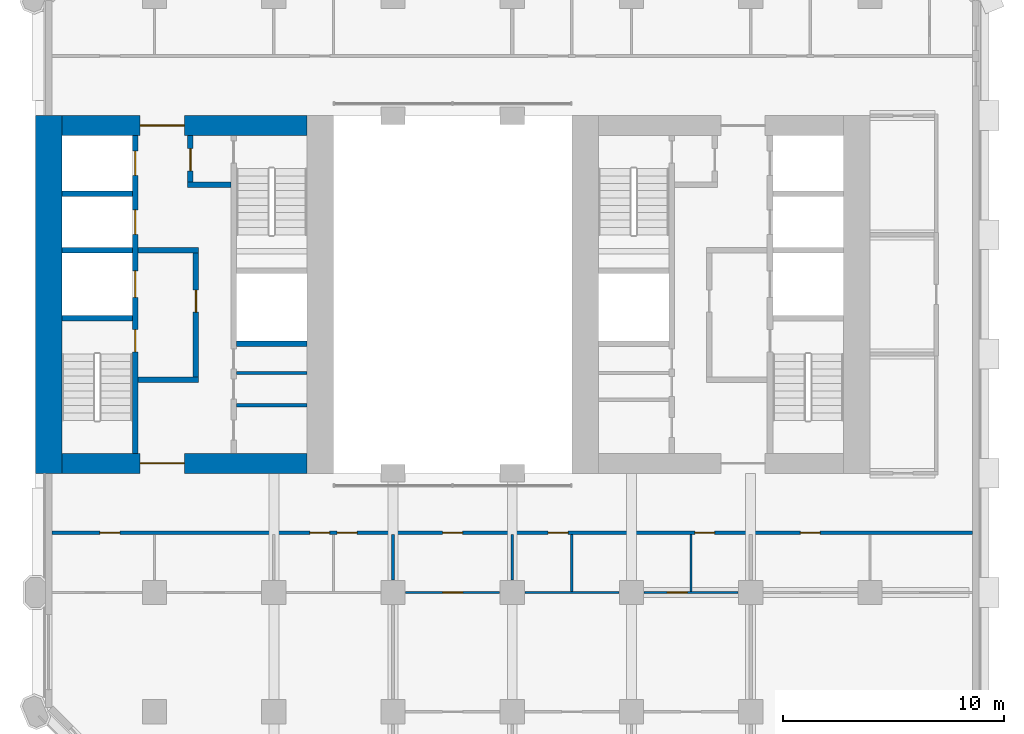
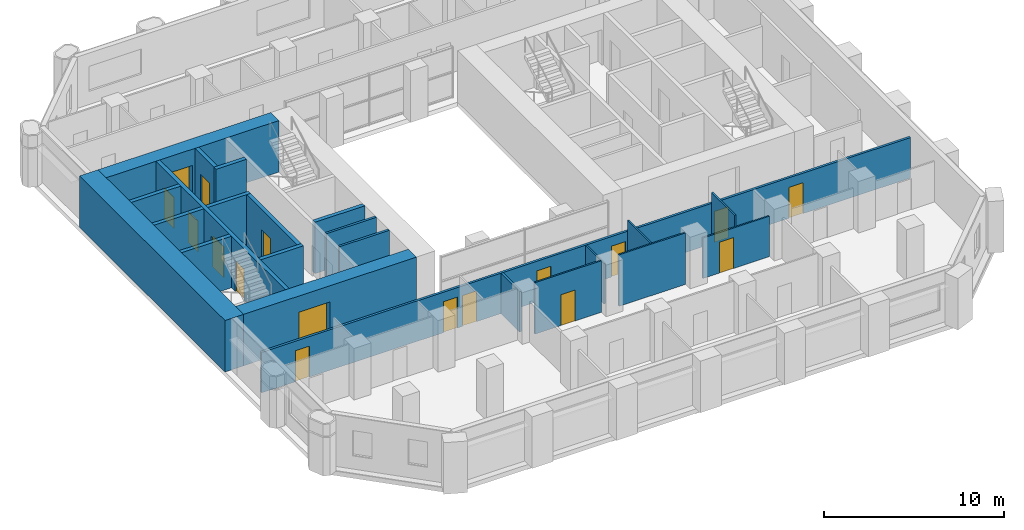
# One storey, part 8 of 13: 23 walls, 17 doors, 17 openings.
"""IFC4 building model written with IfcOpenShell, lengths in metres."""

from ifc_helpers import new_model, si_unit, direction, frame, frame_2d, origin, place, context, subcontext, project, spatial, rectangle, extrude, material, layer, layer_set, type_object, element, fill, save


model = new_model("IFC4")

# Units and contexts
model_context = context("Model", 3, precision=1e-05, world=origin(), true_north=direction((0.0, 1.0)))
body_context = subcontext(model_context, "Body", "Model", "MODEL_VIEW")
ifc_project = project(units=[si_unit("LENGTHUNIT", "METRE"), si_unit("AREAUNIT", "SQUARE_METRE"), si_unit("VOLUMEUNIT", "CUBIC_METRE"), si_unit("PLANEANGLEUNIT", "RADIAN"), si_unit("MASSUNIT", "GRAM", prefix="KILO")], contexts=[model_context])

# Site, building, storey
site_placement = place(None, origin())
site = spatial("IfcSite", under=ifc_project, at=site_placement, CompositionType="ELEMENT")
building_placement = place(site_placement, origin())
building = spatial("IfcBuilding", under=site, at=building_placement, Name="Tabaq Tower and Sports Hall", CompositionType="ELEMENT")
storey_placement = place(building_placement, frame((0.0, 0.0, 37.39990234375)))
storey = spatial("IfcBuildingStorey", under=building, at=storey_placement, Name="L07", CompositionType="ELEMENT", Elevation=37.39990234375)

# Walls
ifc_material_1 = material(Name="Blockwork", Category="masonry")
ifc_layer_1 = layer(ifc_material_1, 0.14990234375)
ifc_layer_set_1 = layer_set([ifc_layer_1], Name="Core room partition 150 Blockwork")
wall_type_1 = type_object("IfcWallType", Name="Core room partition 150 Blockwork", PredefinedType="PARTITIONING", material=ifc_layer_set_1)
for number, where, z_axis, x_axis, name in (
    (1, (14.5, 19.282958984375, 0.0), (0.0, 0.0, 1.0), (1.0, 0.0, 0.0), "Core room partition W L07"),
    (2, (14.5, 20.738037109375, 0.0), (0.0, 0.0, 1.0), (1.0, 0.0, 0.0), "Core room partition W L07"),
):
    element("IfcWall", number, at=place(storey_placement, frame(where, z_axis=z_axis, x_axis=x_axis)), inside=storey, type_object=wall_type_1, Name=name, PredefinedType="PARTITIONING", context=body_context, shape_type="SweptSolid", body=[
        extrude(rectangle(XDim=3.199951171875, YDim=0.14990234375, at=frame_2d((1.60009765625, 0.0))), origin(), (0.0, 0.0, 1.0), 3.5),
    ])
ifc_material_2 = material(Name="Concrete C60/75", Category="concrete")
ifc_layer_2 = layer(ifc_material_2, 1.199951171875)
ifc_layer_set_2 = layer_set([ifc_layer_2], Name="Core wall 1200 Concrete C60/75")
wall_type_2 = type_object("IfcWallType", Name="Core wall 1200 Concrete C60/75", PredefinedType="SOLIDWALL", material=ifc_layer_set_2)
wall_1_placement = place(storey_placement, frame((6.0, 16.199951171875, 0.0), z_axis=(0.0, 0.0, 1.0), x_axis=(0.0, 1.0, 0.0)))
element("IfcWall", 3, at=wall_1_placement, inside=storey, type_object=wall_type_2, Name="Core wall W L07", PredefinedType="SOLIDWALL", context=body_context, shape_type="SweptSolid", body=[
    extrude(rectangle(XDim=16.199951171875, YDim=1.199951171875, at=frame_2d((8.10009765625, 0.0))), origin(), (0.0, 0.0, 1.0), 3.5),
])

# Wall, opening, door
ifc_material_3 = material(Name="Concrete C60/75", Category="concrete")
ifc_layer_3 = layer(ifc_material_3, 0.89990234375)
ifc_layer_set_3 = layer_set([ifc_layer_3], Name="Core wall 900 Concrete C60/75")
wall_type_3 = type_object("IfcWallType", Name="Core wall 900 Concrete C60/75", PredefinedType="SOLIDWALL", material=ifc_layer_set_3)
wall_2_placement = place(storey_placement, frame((17.699951171875, 16.64990234375, 0.0), z_axis=(0.0, 0.0, 1.0), x_axis=(-1.0, 0.0, 0.0)))
wall_2 = element("IfcWall", 4, at=wall_2_placement, inside=storey, type_object=wall_type_3, Name="Core wall W L07", PredefinedType="SOLIDWALL", context=body_context, shape_type="SweptSolid", body=[
    extrude(rectangle(XDim=11.099853515625, YDim=0.89990234375, at=frame_2d((5.5498046875, 0.0))), origin(), (0.0, 0.0, 1.0), 3.5),
])
opening_1_placement = place(wall_2_placement, frame((5.550048828125, 0.0, 0.0)))
opening_1 = element("IfcOpeningElement", 5, at=opening_1_placement, cuts=wall_2, Name="Opening PD-WL07-01", PredefinedType="OPENING", context=body_context, shape_type="SweptSolid", body=[
    extrude(rectangle(XDim=2.0, YDim=2.39990234375, at=frame_2d((1.0, 1.199951171875))), frame((0.0, 0.449951171875, 0.0), z_axis=(0.0, -1.0, 0.0), x_axis=(1.0, 0.0, 0.0)), (0.0, 0.0, 1.0), 0.89990234375),
])
ifc_material_4 = material(Name="Steel fire door", Category="steel")
door_type_1 = type_object("IfcDoorType", Name="Core entrance door 2000", OperationType="DOUBLE_DOOR_SINGLE_SWING", PredefinedType="DOOR", material=ifc_material_4)
door_1_placement = place(opening_1_placement, origin())
door_1 = element("IfcDoor", 6, at=door_1_placement, inside=storey, type_object=door_type_1, Name="Core entrance south W L07", OperationType="DOUBLE_DOOR_SINGLE_SWING", OverallHeight=2.39990234375, OverallWidth=2.0, PredefinedType="DOOR", context=body_context, shape_type="SweptSolid", body=[
    extrude(rectangle(XDim=2.0, YDim=2.39990234375, at=frame_2d((1.0, 1.199951171875))), frame((0.0, 0.02490234375, 0.0), z_axis=(0.0, -1.0, 0.0), x_axis=(1.0, 0.0, 0.0)), (0.0, 0.0, 1.0), 0.050048828125),
])
fill(opening_1, door_1)

wall_3_placement = place(storey_placement, frame((6.60009765625, 31.949951171875, 0.0), z_axis=(0.0, 0.0, 1.0), x_axis=(1.0, 0.0, 0.0)))
wall_3 = element("IfcWall", 7, at=wall_3_placement, inside=storey, type_object=wall_type_3, Name="Core wall W L07", PredefinedType="SOLIDWALL", context=body_context, shape_type="SweptSolid", body=[
    extrude(rectangle(XDim=11.099853515625, YDim=0.89990234375, at=frame_2d((5.5498046875, 0.0))), origin(), (0.0, 0.0, 1.0), 3.5),
])
opening_2_placement = place(wall_3_placement, frame((3.550048828125, 0.0, 0.0)))
opening_2 = element("IfcOpeningElement", 8, at=opening_2_placement, cuts=wall_3, Name="Opening PD-WL07-02", PredefinedType="OPENING", context=body_context, shape_type="SweptSolid", body=[
    extrude(rectangle(XDim=2.0, YDim=2.39990234375, at=frame_2d((1.0, 1.199951171875))), frame((0.0, 0.449951171875, 0.0), z_axis=(0.0, -1.0, 0.0), x_axis=(1.0, 0.0, 0.0)), (0.0, 0.0, 1.0), 0.89990234375),
])
door_2_placement = place(opening_2_placement, origin())
door_2 = element("IfcDoor", 9, at=door_2_placement, inside=storey, type_object=door_type_1, Name="Core entrance north W L07", OperationType="DOUBLE_DOOR_SINGLE_SWING", OverallHeight=2.39990234375, OverallWidth=2.0, PredefinedType="DOOR", context=body_context, shape_type="SweptSolid", body=[
    extrude(rectangle(XDim=2.0, YDim=2.39990234375, at=frame_2d((1.0, 1.199951171875))), frame((0.0, 0.02490234375, 0.0), z_axis=(0.0, -1.0, 0.0), x_axis=(1.0, 0.0, 0.0)), (0.0, 0.0, 1.0), 0.050048828125),
])
fill(opening_2, door_2)

ifc_material_5 = material(Name="Gypsum board on steel studs", Category="steel")
ifc_layer_4 = layer(ifc_material_5, 0.10009765625)
ifc_layer_set_4 = layer_set([ifc_layer_4], Name="Partition 100 Gypsum board")
wall_type_4 = type_object("IfcWallType", Name="Partition 100 Gypsum board", PredefinedType="PARTITIONING", material=ifc_layer_set_4)
wall_4_placement = place(storey_placement, frame((22.169921875, 10.800048828125, 0.0), z_axis=(0.0, 0.0, 1.0), x_axis=(1.0, 0.0, 0.0)))
wall_4 = element("IfcWall", 10, at=wall_4_placement, inside=storey, type_object=wall_type_4, Name="Partition wall L07", PredefinedType="PARTITIONING", context=body_context, shape_type="SweptSolid", body=[
    extrude(rectangle(XDim=4.260009765625, YDim=0.10009765625, at=frame_2d((2.1298828125, 0.0))), origin(), (0.0, 0.0, 1.0), 3.5),
])
opening_3_placement = place(wall_4_placement, frame((1.679931640625, 0.0, 0.0)))
opening_3 = element("IfcOpeningElement", 11, at=opening_3_placement, cuts=wall_4, Name="Opening L07-029", PredefinedType="OPENING", context=body_context, shape_type="SweptSolid", body=[
    extrude(rectangle(XDim=0.89990234375, YDim=2.10009765625, at=frame_2d((0.449951171875, 1.050048828125))), frame((0.0, 0.050048828125, 0.0), z_axis=(0.0, -1.0, 0.0), x_axis=(1.0, 0.0, 0.0)), (0.0, 0.0, 1.0), 0.10009765625),
])
ifc_material_6 = material(Name="Timber leaf in steel frame", Category="steel")
door_type_2 = type_object("IfcDoorType", Name="Internal door 900 right hand", OperationType="SINGLE_SWING_RIGHT", PredefinedType="DOOR", material=ifc_material_6)
door_3_placement = place(opening_3_placement, origin())
door_3 = element("IfcDoor", 12, at=door_3_placement, inside=storey, type_object=door_type_2, Name="Internal door L07-029", OperationType="SINGLE_SWING_RIGHT", OverallHeight=2.10009765625, OverallWidth=0.89990234375, PredefinedType="DOOR", context=body_context, shape_type="SweptSolid", body=[
    extrude(rectangle(XDim=0.89990234375, YDim=2.10009765625, at=frame_2d((0.449951171875, 1.050048828125))), frame((0.0, 0.02490234375, 0.0), z_axis=(0.0, -1.0, 0.0), x_axis=(1.0, 0.0, 0.0)), (0.0, 0.0, 1.0), 0.050048828125),
])
fill(opening_3, door_3)

# Walls
wall_5_placement = place(storey_placement, frame((27.0, 11.3701171875, 0.0), z_axis=(0.0, 0.0, 1.0), x_axis=(0.0, 1.0, 0.0)))
element("IfcWall", 13, at=wall_5_placement, inside=storey, type_object=wall_type_4, Name="Partition wall L07", PredefinedType="PARTITIONING", context=body_context, shape_type="SweptSolid", body=[
    extrude(rectangle(XDim=2.054931640625, YDim=0.10009765625, at=frame_2d((1.02734375, 0.0))), origin(), (0.0, 0.0, 1.0), 2.75),
])
wall_6_placement = place(storey_placement, frame((29.699951171875, 10.85009765625, 0.0), z_axis=(0.0, 0.0, 1.0), x_axis=(0.0, 1.0, 0.0)))
element("IfcWall", 14, at=wall_6_placement, inside=storey, type_object=wall_type_4, Name="Partition wall L07", PredefinedType="PARTITIONING", context=body_context, shape_type="SweptSolid", body=[
    extrude(rectangle(XDim=2.574951171875, YDim=0.10009765625, at=frame_2d((1.28759765625, 0.0))), origin(), (0.0, 0.0, 1.0), 3.5),
])
wall_7_placement = place(storey_placement, frame((27.570068359375, 10.800048828125, 0.0), z_axis=(0.0, 0.0, 1.0), x_axis=(1.0, 0.0, 0.0)))
element("IfcWall", 15, at=wall_7_placement, inside=storey, type_object=wall_type_4, Name="Partition wall L07", PredefinedType="PARTITIONING", context=body_context, shape_type="SweptSolid", body=[
    extrude(rectangle(XDim=4.260009765625, YDim=0.10009765625, at=frame_2d((2.1298828125, 0.0))), origin(), (0.0, 0.0, 1.0), 3.5),
])
wall_8_placement = place(storey_placement, frame((35.10009765625, 10.85009765625, 0.0), z_axis=(0.0, 0.0, 1.0), x_axis=(0.0, 1.0, 0.0)))
element("IfcWall", 16, at=wall_8_placement, inside=storey, type_object=wall_type_4, Name="Partition wall L07", PredefinedType="PARTITIONING", context=body_context, shape_type="SweptSolid", body=[
    extrude(rectangle(XDim=2.574951171875, YDim=0.10009765625, at=frame_2d((1.28759765625, 0.0))), origin(), (0.0, 0.0, 1.0), 3.5),
])

# Wall, opening, door
wall_9_placement = place(storey_placement, frame((32.969970703125, 10.800048828125, 0.0), z_axis=(0.0, 0.0, 1.0), x_axis=(1.0, 0.0, 0.0)))
wall_9 = element("IfcWall", 17, at=wall_9_placement, inside=storey, type_object=wall_type_4, Name="Partition wall L07", PredefinedType="PARTITIONING", context=body_context, shape_type="SweptSolid", body=[
    extrude(rectangle(XDim=4.260009765625, YDim=0.10009765625, at=frame_2d((2.1298828125, 0.0))), origin(), (0.0, 0.0, 1.0), 2.75),
])
opening_4_placement = place(wall_9_placement, frame((1.06005859375, 0.0, 0.0)))
opening_4 = element("IfcOpeningElement", 18, at=opening_4_placement, cuts=wall_9, Name="Opening L07-018", PredefinedType="OPENING", context=body_context, shape_type="SweptSolid", body=[
    extrude(rectangle(XDim=0.89990234375, YDim=2.10009765625, at=frame_2d((0.449951171875, 1.050048828125))), frame((0.0, 0.050048828125, 0.0), z_axis=(0.0, -1.0, 0.0), x_axis=(1.0, 0.0, 0.0)), (0.0, 0.0, 1.0), 0.10009765625),
])
ifc_material_7 = material(Name="Timber leaf in steel frame", Category="steel")
door_type_3 = type_object("IfcDoorType", Name="Internal door 900 left hand", OperationType="SINGLE_SWING_LEFT", PredefinedType="DOOR", material=ifc_material_7)
door_4_placement = place(opening_4_placement, origin())
door_4 = element("IfcDoor", 19, at=door_4_placement, inside=storey, type_object=door_type_3, Name="Internal door L07-018", OperationType="SINGLE_SWING_LEFT", OverallHeight=2.10009765625, OverallWidth=0.89990234375, PredefinedType="DOOR", context=body_context, shape_type="SweptSolid", body=[
    extrude(rectangle(XDim=0.89990234375, YDim=2.10009765625, at=frame_2d((0.449951171875, 1.050048828125))), frame((0.0, 0.02490234375, 0.0), z_axis=(0.0, -1.0, 0.0), x_axis=(1.0, 0.0, 0.0)), (0.0, 0.0, 1.0), 0.050048828125),
])
fill(opening_4, door_4)

# Wall, openings, doors
ifc_material_8 = material(Name="Blockwork", Category="masonry")
ifc_layer_5 = layer(ifc_material_8, 0.14990234375)
ifc_layer_set_5 = layer_set([ifc_layer_5], Name="Separating wall 150 Blockwork")
wall_type_5 = type_object("IfcWallType", Name="Separating wall 150 Blockwork", PredefinedType="PARTITIONING", material=ifc_layer_set_5)
wall_10_placement = place(storey_placement, frame((47.84912109375, 13.5, 0.0), z_axis=(0.0, 0.0, 1.0), x_axis=(-1.0, 0.0, 0.0)))
wall_10 = element("IfcWall", 20, at=wall_10_placement, inside=storey, type_object=wall_type_5, Name="Separating wall L07", PredefinedType="PARTITIONING", context=body_context, shape_type="SweptSolid", body=[
    extrude(rectangle(XDim=41.6982421875, YDim=0.14990234375, at=frame_2d((20.84912109375, 0.0))), origin(), (0.0, 0.0, 1.0), 2.75),
])
opening_5_placement = place(wall_10_placement, frame((29.118896484375, 0.0, 0.0)))
opening_5 = element("IfcOpeningElement", 21, at=opening_5_placement, cuts=wall_10, Name="Opening L07-005", PredefinedType="OPENING", context=body_context, shape_type="SweptSolid", body=[
    extrude(rectangle(XDim=0.89990234375, YDim=2.10009765625, at=frame_2d((0.449951171875, 1.050048828125))), frame((0.0, 0.074951171875, 0.0), z_axis=(0.0, -1.0, 0.0), x_axis=(1.0, 0.0, 0.0)), (0.0, 0.0, 1.0), 0.14990234375),
])
opening_6_placement = place(wall_10_placement, frame((27.87890625, 0.0, 0.0)))
opening_6 = element("IfcOpeningElement", 22, at=opening_6_placement, cuts=wall_10, Name="Opening L07-006", PredefinedType="OPENING", context=body_context, shape_type="SweptSolid", body=[
    extrude(rectangle(XDim=0.89990234375, YDim=2.10009765625, at=frame_2d((0.449951171875, 1.050048828125))), frame((0.0, 0.074951171875, 0.0), z_axis=(0.0, -1.0, 0.0), x_axis=(1.0, 0.0, 0.0)), (0.0, 0.0, 1.0), 0.14990234375),
])
opening_7_placement = place(wall_10_placement, frame((18.319091796875, 0.0, 0.0)))
opening_7 = element("IfcOpeningElement", 23, at=opening_7_placement, cuts=wall_10, Name="Opening L07-007", PredefinedType="OPENING", context=body_context, shape_type="SweptSolid", body=[
    extrude(rectangle(XDim=0.89990234375, YDim=2.10009765625, at=frame_2d((0.449951171875, 1.050048828125))), frame((0.0, 0.074951171875, 0.0), z_axis=(0.0, -1.0, 0.0), x_axis=(1.0, 0.0, 0.0)), (0.0, 0.0, 1.0), 0.14990234375),
])
opening_8_placement = place(wall_10_placement, frame((11.678955078125, 0.0, 0.0)))
opening_8 = element("IfcOpeningElement", 24, at=opening_8_placement, cuts=wall_10, Name="Opening L07-008", PredefinedType="OPENING", context=body_context, shape_type="SweptSolid", body=[
    extrude(rectangle(XDim=0.89990234375, YDim=2.10009765625, at=frame_2d((0.449951171875, 1.050048828125))), frame((0.0, 0.074951171875, 0.0), z_axis=(0.0, -1.0, 0.0), x_axis=(1.0, 0.0, 0.0)), (0.0, 0.0, 1.0), 0.14990234375),
])
opening_9_placement = place(wall_10_placement, frame((38.6240234375, 0.0, 0.0)))
opening_9 = element("IfcOpeningElement", 25, at=opening_9_placement, cuts=wall_10, Name="Opening L07-024", PredefinedType="OPENING", context=body_context, shape_type="SweptSolid", body=[
    extrude(rectangle(XDim=0.89990234375, YDim=2.10009765625, at=frame_2d((0.449951171875, 1.050048828125))), frame((0.0, 0.074951171875, 0.0), z_axis=(0.0, -1.0, 0.0), x_axis=(1.0, 0.0, 0.0)), (0.0, 0.0, 1.0), 0.14990234375),
])
opening_10_placement = place(wall_10_placement, frame((23.09912109375, 0.0, 0.0)))
opening_10 = element("IfcOpeningElement", 26, at=opening_10_placement, cuts=wall_10, Name="Opening L07-025", PredefinedType="OPENING", context=body_context, shape_type="SweptSolid", body=[
    extrude(rectangle(XDim=0.89990234375, YDim=2.10009765625, at=frame_2d((0.449951171875, 1.050048828125))), frame((0.0, 0.074951171875, 0.0), z_axis=(0.0, -1.0, 0.0), x_axis=(1.0, 0.0, 0.0)), (0.0, 0.0, 1.0), 0.14990234375),
])
opening_11_placement = place(wall_10_placement, frame((6.89892578125, 0.0, 0.0)))
opening_11 = element("IfcOpeningElement", 27, at=opening_11_placement, cuts=wall_10, Name="Opening L07-026", PredefinedType="OPENING", context=body_context, shape_type="SweptSolid", body=[
    extrude(rectangle(XDim=0.89990234375, YDim=2.10009765625, at=frame_2d((0.449951171875, 1.050048828125))), frame((0.0, 0.074951171875, 0.0), z_axis=(0.0, -1.0, 0.0), x_axis=(1.0, 0.0, 0.0)), (0.0, 0.0, 1.0), 0.14990234375),
])
ifc_material_9 = material(Name="Steel fire door", Category="steel")
door_type_4 = type_object("IfcDoorType", Name="Entrance door 900 right hand", OperationType="SINGLE_SWING_RIGHT", PredefinedType="DOOR", material=ifc_material_9)
door_5_placement = place(opening_5_placement, origin())
door_5 = element("IfcDoor", 28, at=door_5_placement, inside=storey, type_object=door_type_4, Name="Entrance door L07-005", OperationType="SINGLE_SWING_RIGHT", OverallHeight=2.10009765625, OverallWidth=0.89990234375, PredefinedType="DOOR", context=body_context, shape_type="SweptSolid", body=[
    extrude(rectangle(XDim=0.89990234375, YDim=2.10009765625, at=frame_2d((0.449951171875, 1.050048828125))), frame((0.0, 0.02490234375, 0.0), z_axis=(0.0, -1.0, 0.0), x_axis=(1.0, 0.0, 0.0)), (0.0, 0.0, 1.0), 0.050048828125),
])
fill(opening_5, door_5)
door_6_placement = place(opening_6_placement, origin())
door_6 = element("IfcDoor", 29, at=door_6_placement, inside=storey, type_object=door_type_4, Name="Entrance door L07-006", OperationType="SINGLE_SWING_RIGHT", OverallHeight=2.10009765625, OverallWidth=0.89990234375, PredefinedType="DOOR", context=body_context, shape_type="SweptSolid", body=[
    extrude(rectangle(XDim=0.89990234375, YDim=2.10009765625, at=frame_2d((0.449951171875, 1.050048828125))), frame((0.0, 0.02490234375, 0.0), z_axis=(0.0, -1.0, 0.0), x_axis=(1.0, 0.0, 0.0)), (0.0, 0.0, 1.0), 0.050048828125),
])
fill(opening_6, door_6)
door_7_placement = place(opening_7_placement, origin())
door_7 = element("IfcDoor", 30, at=door_7_placement, inside=storey, type_object=door_type_4, Name="Entrance door L07-007", OperationType="SINGLE_SWING_RIGHT", OverallHeight=2.10009765625, OverallWidth=0.89990234375, PredefinedType="DOOR", context=body_context, shape_type="SweptSolid", body=[
    extrude(rectangle(XDim=0.89990234375, YDim=2.10009765625, at=frame_2d((0.449951171875, 1.050048828125))), frame((0.0, 0.02490234375, 0.0), z_axis=(0.0, -1.0, 0.0), x_axis=(1.0, 0.0, 0.0)), (0.0, 0.0, 1.0), 0.050048828125),
])
fill(opening_7, door_7)
door_8_placement = place(opening_8_placement, origin())
door_8 = element("IfcDoor", 31, at=door_8_placement, inside=storey, type_object=door_type_4, Name="Entrance door L07-008", OperationType="SINGLE_SWING_RIGHT", OverallHeight=2.10009765625, OverallWidth=0.89990234375, PredefinedType="DOOR", context=body_context, shape_type="SweptSolid", body=[
    extrude(rectangle(XDim=0.89990234375, YDim=2.10009765625, at=frame_2d((0.449951171875, 1.050048828125))), frame((0.0, 0.02490234375, 0.0), z_axis=(0.0, -1.0, 0.0), x_axis=(1.0, 0.0, 0.0)), (0.0, 0.0, 1.0), 0.050048828125),
])
fill(opening_8, door_8)
door_9_placement = place(opening_9_placement, origin())
door_9 = element("IfcDoor", 32, at=door_9_placement, inside=storey, type_object=door_type_4, Name="Entrance door L07-024", OperationType="SINGLE_SWING_RIGHT", OverallHeight=2.10009765625, OverallWidth=0.89990234375, PredefinedType="DOOR", context=body_context, shape_type="SweptSolid", body=[
    extrude(rectangle(XDim=0.89990234375, YDim=2.10009765625, at=frame_2d((0.449951171875, 1.050048828125))), frame((0.0, 0.02490234375, 0.0), z_axis=(0.0, -1.0, 0.0), x_axis=(1.0, 0.0, 0.0)), (0.0, 0.0, 1.0), 0.050048828125),
])
fill(opening_9, door_9)
door_10_placement = place(opening_10_placement, origin())
door_10 = element("IfcDoor", 33, at=door_10_placement, inside=storey, type_object=door_type_4, Name="Entrance door L07-025", OperationType="SINGLE_SWING_RIGHT", OverallHeight=2.10009765625, OverallWidth=0.89990234375, PredefinedType="DOOR", context=body_context, shape_type="SweptSolid", body=[
    extrude(rectangle(XDim=0.89990234375, YDim=2.10009765625, at=frame_2d((0.449951171875, 1.050048828125))), frame((0.0, 0.02490234375, 0.0), z_axis=(0.0, -1.0, 0.0), x_axis=(1.0, 0.0, 0.0)), (0.0, 0.0, 1.0), 0.050048828125),
])
fill(opening_10, door_10)
door_11_placement = place(opening_11_placement, origin())
door_11 = element("IfcDoor", 34, at=door_11_placement, inside=storey, type_object=door_type_4, Name="Entrance door L07-026", OperationType="SINGLE_SWING_RIGHT", OverallHeight=2.10009765625, OverallWidth=0.89990234375, PredefinedType="DOOR", context=body_context, shape_type="SweptSolid", body=[
    extrude(rectangle(XDim=0.89990234375, YDim=2.10009765625, at=frame_2d((0.449951171875, 1.050048828125))), frame((0.0, 0.02490234375, 0.0), z_axis=(0.0, -1.0, 0.0), x_axis=(1.0, 0.0, 0.0)), (0.0, 0.0, 1.0), 0.050048828125),
])
fill(opening_11, door_11)

# Wall
wall_11_placement = place(storey_placement, frame((21.60009765625, 11.3701171875, 0.0), z_axis=(0.0, 0.0, 1.0), x_axis=(0.0, 1.0, 0.0)))
element("IfcWall", 35, at=wall_11_placement, inside=storey, type_object=wall_type_5, Name="Separating wall L07", PredefinedType="PARTITIONING", context=body_context, shape_type="SweptSolid", body=[
    extrude(rectangle(XDim=2.054931640625, YDim=0.14990234375, at=frame_2d((1.02734375, 0.0))), origin(), (0.0, 0.0, 1.0), 2.75),
])

# Wall, openings, doors
ifc_material_10 = material(Name="Concrete C40/50", Category="concrete")
ifc_layer_6 = layer(ifc_material_10, 0.25)
ifc_layer_set_6 = layer_set([ifc_layer_6], Name="Shaft and stair wall 250 Concrete C40/50")
wall_type_6 = type_object("IfcWallType", Name="Shaft and stair wall 250 Concrete C40/50", PredefinedType="SOLIDWALL", material=ifc_layer_set_6)
wall_12_placement = place(storey_placement, frame((9.925048828125, 17.10009765625, 0.0), z_axis=(0.0, 0.0, 1.0), x_axis=(0.0, 1.0, 0.0)))
wall_12 = element("IfcWall", 36, at=wall_12_placement, inside=storey, type_object=wall_type_6, Name="Shaft wall W L07", PredefinedType="SOLIDWALL", context=body_context, shape_type="SweptSolid", body=[
    extrude(rectangle(XDim=14.39990234375, YDim=0.25, at=frame_2d((7.199951171875, 0.0))), origin(), (0.0, 0.0, 1.0), 3.5),
])
opening_12_placement = place(wall_12_placement, frame((4.60009765625, 0.0, 0.0)))
opening_12 = element("IfcOpeningElement", 37, at=opening_12_placement, cuts=wall_12, Name="Opening SD-WL07-03", PredefinedType="OPENING", context=body_context, shape_type="SweptSolid", body=[
    extrude(rectangle(XDim=1.0, YDim=2.10009765625, at=frame_2d((0.5, 1.050048828125))), frame((0.0, 0.125, 0.0), z_axis=(0.0, -1.0, 0.0), x_axis=(1.0, 0.0, 0.0)), (0.0, 0.0, 1.0), 0.25),
])
opening_13_placement = place(wall_12_placement, frame((7.0625, 0.0, 0.0)))
opening_13 = element("IfcOpeningElement", 38, at=opening_13_placement, cuts=wall_12, Name="Opening LD-FF1-L07", PredefinedType="OPENING", context=body_context, shape_type="SweptSolid", body=[
    extrude(rectangle(XDim=1.199951171875, YDim=2.10009765625, at=frame_2d((0.60009765625, 1.050048828125))), frame((0.0, 0.125, 0.0), z_axis=(0.0, -1.0, 0.0), x_axis=(1.0, 0.0, 0.0)), (0.0, 0.0, 1.0), 0.25),
])
opening_14_placement = place(wall_12_placement, frame((9.925048828125, 0.0, 0.0)))
opening_14 = element("IfcOpeningElement", 39, at=opening_14_placement, cuts=wall_12, Name="Opening LD-LR1-L07", PredefinedType="OPENING", context=body_context, shape_type="SweptSolid", body=[
    extrude(rectangle(XDim=1.10009765625, YDim=2.10009765625, at=frame_2d((0.550048828125, 1.050048828125))), frame((0.0, 0.125, 0.0), z_axis=(0.0, -1.0, 0.0), x_axis=(1.0, 0.0, 0.0)), (0.0, 0.0, 1.0), 0.25),
])
opening_15_placement = place(wall_12_placement, frame((12.58740234375, 0.0, 0.0)))
opening_15 = element("IfcOpeningElement", 40, at=opening_15_placement, cuts=wall_12, Name="Opening LD-LR2-L07", PredefinedType="OPENING", context=body_context, shape_type="SweptSolid", body=[
    extrude(rectangle(XDim=1.10009765625, YDim=2.10009765625, at=frame_2d((0.550048828125, 1.050048828125))), frame((0.0, 0.125, 0.0), z_axis=(0.0, -1.0, 0.0), x_axis=(1.0, 0.0, 0.0)), (0.0, 0.0, 1.0), 0.25),
])
ifc_material_11 = material(Name="Stainless steel", Category="steel")
door_type_5 = type_object("IfcDoorType", Name="Lift landing door 1100", OperationType="DOUBLE_DOOR_SLIDING", PredefinedType="DOOR", material=ifc_material_11)
door_12_placement = place(opening_14_placement, origin())
door_12 = element("IfcDoor", 41, at=door_12_placement, inside=storey, type_object=door_type_5, Name="Lift landing door LR1 W L07", OperationType="DOUBLE_DOOR_SLIDING", OverallHeight=2.10009765625, OverallWidth=1.10009765625, PredefinedType="DOOR", context=body_context, shape_type="SweptSolid", body=[
    extrude(rectangle(XDim=1.10009765625, YDim=2.10009765625, at=frame_2d((0.550048828125, 1.050048828125))), frame((0.0, 0.02490234375, 0.0), z_axis=(0.0, -1.0, 0.0), x_axis=(1.0, 0.0, 0.0)), (0.0, 0.0, 1.0), 0.050048828125),
])
fill(opening_14, door_12)
door_13_placement = place(opening_15_placement, origin())
door_13 = element("IfcDoor", 42, at=door_13_placement, inside=storey, type_object=door_type_5, Name="Lift landing door LR2 W L07", OperationType="DOUBLE_DOOR_SLIDING", OverallHeight=2.10009765625, OverallWidth=1.10009765625, PredefinedType="DOOR", context=body_context, shape_type="SweptSolid", body=[
    extrude(rectangle(XDim=1.10009765625, YDim=2.10009765625, at=frame_2d((0.550048828125, 1.050048828125))), frame((0.0, 0.02490234375, 0.0), z_axis=(0.0, -1.0, 0.0), x_axis=(1.0, 0.0, 0.0)), (0.0, 0.0, 1.0), 0.050048828125),
])
fill(opening_15, door_13)
ifc_material_12 = material(Name="Stainless steel", Category="steel")
door_type_6 = type_object("IfcDoorType", Name="Lift landing door 1200", OperationType="DOUBLE_DOOR_SLIDING", PredefinedType="DOOR", material=ifc_material_12)
door_14_placement = place(opening_13_placement, origin())
door_14 = element("IfcDoor", 43, at=door_14_placement, inside=storey, type_object=door_type_6, Name="Lift landing door FF1 W L07", OperationType="DOUBLE_DOOR_SLIDING", OverallHeight=2.10009765625, OverallWidth=1.199951171875, PredefinedType="DOOR", context=body_context, shape_type="SweptSolid", body=[
    extrude(rectangle(XDim=1.199951171875, YDim=2.10009765625, at=frame_2d((0.60009765625, 1.050048828125))), frame((0.0, 0.02490234375, 0.0), z_axis=(0.0, -1.0, 0.0), x_axis=(1.0, 0.0, 0.0)), (0.0, 0.0, 1.0), 0.050048828125),
])
fill(opening_13, door_14)
ifc_material_13 = material(Name="Steel fire door", Category="steel")
door_type_7 = type_object("IfcDoorType", Name="Stair door 1000", OperationType="SINGLE_SWING_LEFT", PredefinedType="DOOR", material=ifc_material_13)
door_15_placement = place(opening_12_placement, origin())
door_15 = element("IfcDoor", 44, at=door_15_placement, inside=storey, type_object=door_type_7, Name="Stair door ST1 W L07", OperationType="SINGLE_SWING_LEFT", OverallHeight=2.10009765625, OverallWidth=1.0, PredefinedType="DOOR", context=body_context, shape_type="SweptSolid", body=[
    extrude(rectangle(XDim=1.0, YDim=2.10009765625, at=frame_2d((0.5, 1.050048828125))), frame((0.0, 0.02490234375, 0.0), z_axis=(0.0, -1.0, 0.0), x_axis=(1.0, 0.0, 0.0)), (0.0, 0.0, 1.0), 0.050048828125),
])
fill(opening_12, door_15)

# Walls
for number, where, z_axis, x_axis, name in (
    (45, (6.60009765625, 23.22509765625, 0.0), (0.0, 0.0, 1.0), (1.0, 0.0, 0.0), "Stair enclosure wall W L07"),
    (46, (14.5, 22.074951171875, 0.0), (0.0, 0.0, 1.0), (1.0, 0.0, 0.0), "Shaft wall W L07"),
    (47, (6.60009765625, 26.300048828125, 0.0), (0.0, 0.0, 1.0), (1.0, 0.0, 0.0), "Shaft wall W L07"),
):
    element("IfcWall", number, at=place(storey_placement, frame(where, z_axis=z_axis, x_axis=x_axis)), inside=storey, type_object=wall_type_6, Name=name, PredefinedType="SOLIDWALL", context=body_context, shape_type="SweptSolid", body=[
        extrude(rectangle(XDim=3.199951171875, YDim=0.25, at=frame_2d((1.60009765625, 0.0))), origin(), (0.0, 0.0, 1.0), 3.5),
    ])
for number, where, z_axis, x_axis, name in (
    (48, (10.050048828125, 26.300048828125, 0.0), (0.0, 0.0, 1.0), (1.0, 0.0, 0.0), "Fire-fighting lobby wall W L07"),
    (49, (10.050048828125, 20.425048828125, 0.0), (0.0, 0.0, 1.0), (1.0, 0.0, 0.0), "Fire-fighting lobby wall W L07"),
):
    element("IfcWall", number, at=place(storey_placement, frame(where, z_axis=z_axis, x_axis=x_axis)), inside=storey, type_object=wall_type_6, Name=name, PredefinedType="SOLIDWALL", context=body_context, shape_type="SweptSolid", body=[
        extrude(rectangle(XDim=2.75, YDim=0.25, at=frame_2d((1.375, 0.0))), origin(), (0.0, 0.0, 1.0), 3.5),
    ])

# Wall, opening, door
wall_13_placement = place(storey_placement, frame((12.425048828125, 29.39990234375, 0.0), z_axis=(0.0, 0.0, 1.0), x_axis=(0.0, 1.0, 0.0)))
wall_13 = element("IfcWall", 50, at=wall_13_placement, inside=storey, type_object=wall_type_6, Name="Fire-fighting lobby wall W L07", PredefinedType="SOLIDWALL", context=body_context, shape_type="SweptSolid", body=[
    extrude(rectangle(XDim=2.10009765625, YDim=0.25, at=frame_2d((1.050048828125, 0.0))), origin(), (0.0, 0.0, 1.0), 3.5),
])
opening_16_placement = place(wall_13_placement, frame((0.5, 0.0, 0.0)))
opening_16 = element("IfcOpeningElement", 51, at=opening_16_placement, cuts=wall_13, Name="Opening FD-WL07-06", PredefinedType="OPENING", context=body_context, shape_type="SweptSolid", body=[
    extrude(rectangle(XDim=1.0, YDim=2.10009765625, at=frame_2d((0.5, 1.050048828125))), frame((0.0, 0.125, 0.0), z_axis=(0.0, -1.0, 0.0), x_axis=(1.0, 0.0, 0.0)), (0.0, 0.0, 1.0), 0.25),
])
ifc_material_14 = material(Name="Steel fire door", Category="steel")
door_type_8 = type_object("IfcDoorType", Name="Fire-fighting lobby door 1000", OperationType="SINGLE_SWING_LEFT", PredefinedType="DOOR", material=ifc_material_14)
door_16_placement = place(opening_16_placement, origin())
door_16 = element("IfcDoor", 52, at=door_16_placement, inside=storey, type_object=door_type_8, Name="Stair lobby door W L07", OperationType="SINGLE_SWING_LEFT", OverallHeight=2.10009765625, OverallWidth=1.0, PredefinedType="DOOR", context=body_context, shape_type="SweptSolid", body=[
    extrude(rectangle(XDim=1.0, YDim=2.10009765625, at=frame_2d((0.5, 1.050048828125))), frame((0.0, 0.02490234375, 0.0), z_axis=(0.0, -1.0, 0.0), x_axis=(1.0, 0.0, 0.0)), (0.0, 0.0, 1.0), 0.050048828125),
])
fill(opening_16, door_16)

# Wall
wall_14_placement = place(storey_placement, frame((12.300048828125, 29.27490234375, 0.0), z_axis=(0.0, 0.0, 1.0), x_axis=(1.0, 0.0, 0.0)))
element("IfcWall", 53, at=wall_14_placement, inside=storey, type_object=wall_type_6, Name="Fire-fighting lobby wall W L07", PredefinedType="SOLIDWALL", context=body_context, shape_type="SweptSolid", body=[
    extrude(rectangle(XDim=1.949951171875, YDim=0.25, at=frame_2d((0.97509765625, 0.0))), origin(), (0.0, 0.0, 1.0), 3.5),
])

# Wall, opening, door
wall_15_placement = place(storey_placement, frame((12.675048828125, 20.550048828125, 0.0), z_axis=(0.0, 0.0, 1.0), x_axis=(0.0, 1.0, 0.0)))
wall_15 = element("IfcWall", 54, at=wall_15_placement, inside=storey, type_object=wall_type_6, Name="Fire-fighting lobby wall W L07", PredefinedType="SOLIDWALL", context=body_context, shape_type="SweptSolid", body=[
    extrude(rectangle(XDim=5.625, YDim=0.25, at=frame_2d((2.8125, 0.0))), origin(), (0.0, 0.0, 1.0), 3.5),
])
opening_17_placement = place(wall_15_placement, frame((2.949951171875, 0.0, 0.0)))
opening_17 = element("IfcOpeningElement", 55, at=opening_17_placement, cuts=wall_15, Name="Opening FD-WL07-04", PredefinedType="OPENING", context=body_context, shape_type="SweptSolid", body=[
    extrude(rectangle(XDim=1.0, YDim=2.10009765625, at=frame_2d((0.5, 1.050048828125))), frame((0.0, 0.125, 0.0), z_axis=(0.0, -1.0, 0.0), x_axis=(1.0, 0.0, 0.0)), (0.0, 0.0, 1.0), 0.25),
])
door_17_placement = place(opening_17_placement, origin())
door_17 = element("IfcDoor", 56, at=door_17_placement, inside=storey, type_object=door_type_8, Name="Fire-fighting lobby door W L07", OperationType="SINGLE_SWING_LEFT", OverallHeight=2.10009765625, OverallWidth=1.0, PredefinedType="DOOR", context=body_context, shape_type="SweptSolid", body=[
    extrude(rectangle(XDim=1.0, YDim=2.10009765625, at=frame_2d((0.5, 1.050048828125))), frame((0.0, 0.02490234375, 0.0), z_axis=(0.0, -1.0, 0.0), x_axis=(1.0, 0.0, 0.0)), (0.0, 0.0, 1.0), 0.050048828125),
])
fill(opening_17, door_17)

# Wall
wall_16_placement = place(storey_placement, frame((6.60009765625, 28.85009765625, 0.0), z_axis=(0.0, 0.0, 1.0), x_axis=(1.0, 0.0, 0.0)))
element("IfcWall", 57, at=wall_16_placement, inside=storey, type_object=wall_type_6, Name="Shaft wall W L07", PredefinedType="SOLIDWALL", context=body_context, shape_type="SweptSolid", body=[
    extrude(rectangle(XDim=3.199951171875, YDim=0.25, at=frame_2d((1.60009765625, 0.0))), origin(), (0.0, 0.0, 1.0), 3.5),
])

save(model, "model.ifc")
